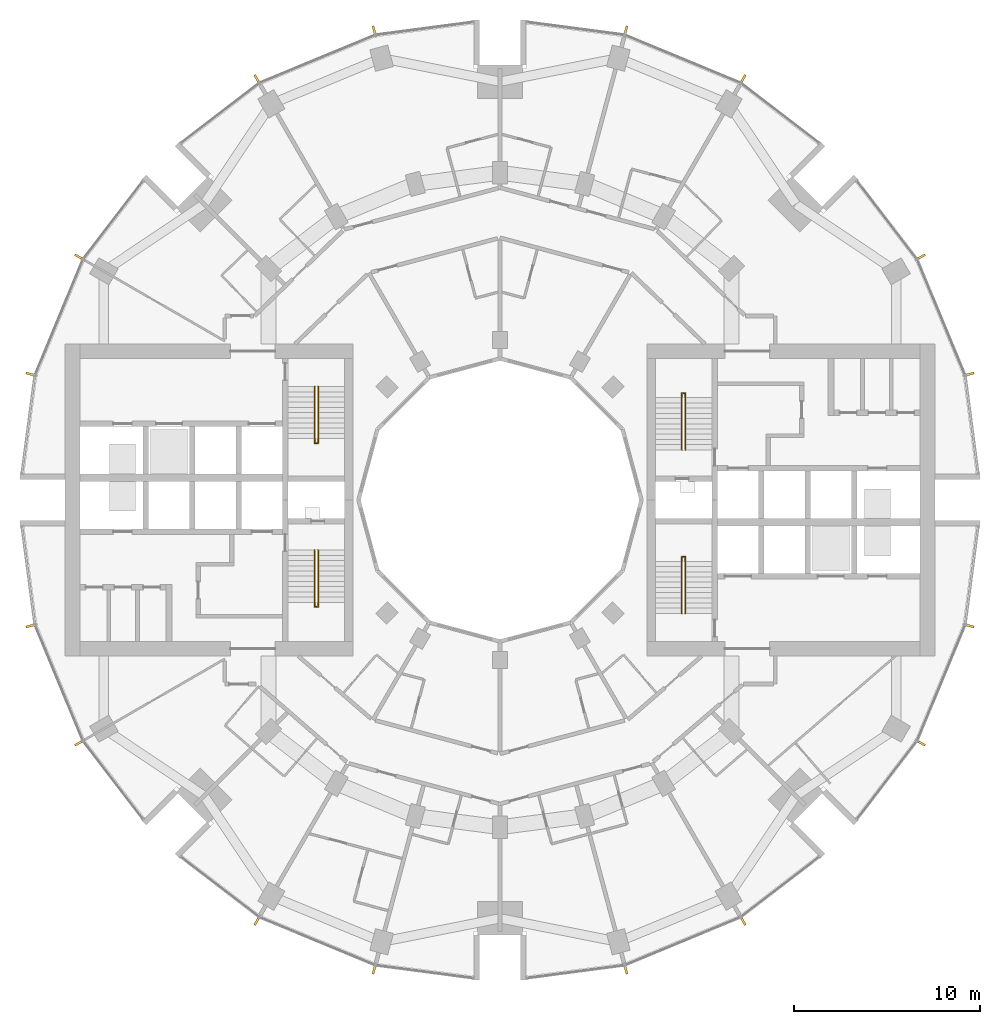
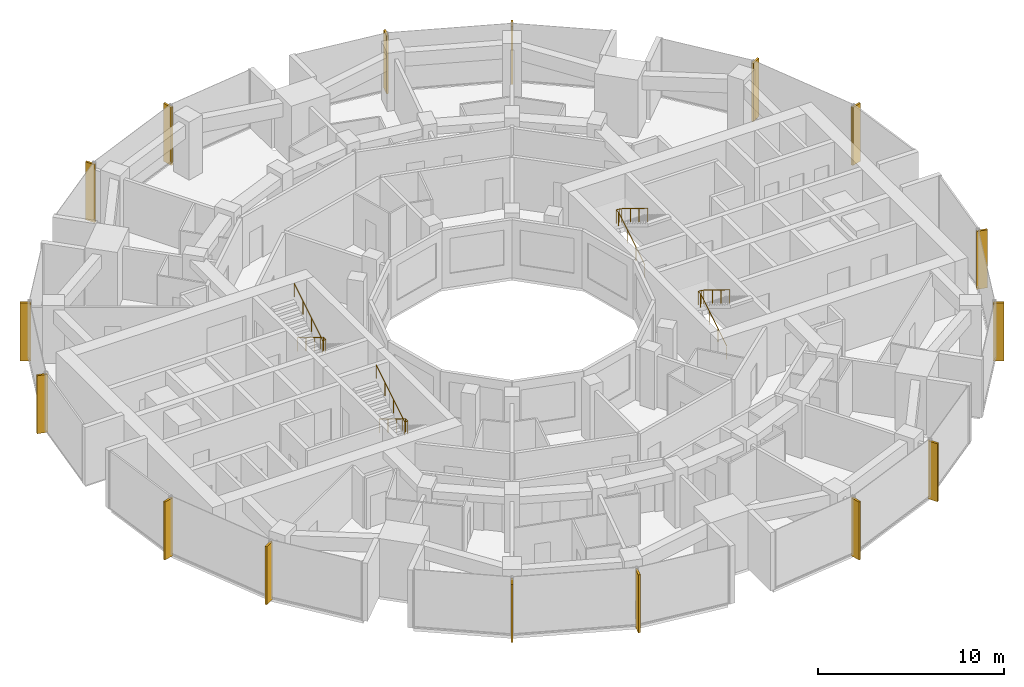
# One storey, part 14 of 15: 16 shading devices, 4 railings.
"""IFC4 building model written with IfcOpenShell, lengths in metres."""

import ifcopenshell
import ifcopenshell.guid

model = None  # the IFC model being written
_history = None  # IfcOwnerHistory: only IFC2X3 demands one
_inside = {}  # id of a spatial element -> (the spatial element, [elements in it])
_under = {}  # id of a project, library or spatial element -> (it, [spatial elements below it])
_declared = {}  # id of a project -> (the project, [libraries it declares])
_typed = {}  # id of a type object -> (the type object, [elements of that type])
_made_of = {}  # id of a material, layer set ... -> (it, [elements and type objects made of it])


def new_model(schema):
    """Start an empty IFC model of exactly this schema.

    Asked for "IFC4X3", IfcOpenShell would pick the latest addendum, in which some entities
    have other attributes; the version numbers below select the first issue.
    IFC2X3 requires an IfcOwnerHistory on every rooted entity: one is made here for all.
    """
    global model, _history
    if schema == "IFC4X3":
        model = ifcopenshell.file(schema_version=(4, 3, 0, 0))
    else:
        model = ifcopenshell.file(schema=schema)
    _inside.clear()
    _under.clear()
    _declared.clear()
    _typed.clear()
    _made_of.clear()
    _history = None
    if model.schema == "IFC2X3":
        org = make("IfcOrganization", Name="unknown")
        user = make(
            "IfcPersonAndOrganization",
            ThePerson=make("IfcPerson", FamilyName="unknown"),
            TheOrganization=org,
        )
        app = make(
            "IfcApplication",
            ApplicationDeveloper=org,
            Version="unknown",
            ApplicationFullName="unknown",
            ApplicationIdentifier="unknown",
        )
        _history = make(
            "IfcOwnerHistory",
            OwningUser=user,
            OwningApplication=app,
            ChangeAction="ADDED",
            CreationDate=0,
        )
    return model


def make(cls, **values):
    """One entity of the class cls with the attributes given. An attribute that is None is left unset."""
    return model.create_entity(
        cls, **{name: value for name, value in values.items() if value is not None}
    )


def rooted(cls, **values):
    """An entity with a GlobalId (a new one), such as an element, a storey or a relation."""
    return make(cls, GlobalId=ifcopenshell.guid.new(), OwnerHistory=_history, **values)


def si_unit(unit_type, name, prefix=None):
    """IfcSIUnit, for example si_unit("LENGTHUNIT", "METRE", prefix="MILLI")."""
    return make("IfcSIUnit", UnitType=unit_type, Prefix=prefix, Name=name)


def assignment(units):
    """IfcUnitAssignment: the units of a project."""
    return None if units is None else make("IfcUnitAssignment", Units=units)


def point(xyz):
    """IfcCartesianPoint."""
    return None if xyz is None else make("IfcCartesianPoint", Coordinates=xyz)


def direction(xyz):
    """IfcDirection."""
    return None if xyz is None else make("IfcDirection", DirectionRatios=xyz)


def frame(location, z_axis=None, x_axis=None):
    """IfcAxis2Placement3D, a coordinate frame: its origin and axes. An axis left out is left unset."""
    return make(
        "IfcAxis2Placement3D",
        Location=point(location),
        Axis=direction(z_axis),
        RefDirection=direction(x_axis),
    )


def frame_2d(location, x_axis=None):
    """IfcAxis2Placement2D, a coordinate frame in the plane: its origin and x axis."""
    return make(
        "IfcAxis2Placement2D", Location=point(location), RefDirection=direction(x_axis)
    )


def origin():
    """The frame at (0, 0, 0) with its axes left unset."""
    return frame((0.0, 0.0, 0.0))


def origin_2d():
    """The frame at (0, 0) in the plane with its x axis left unset."""
    return frame_2d((0.0, 0.0))


def place(relative_to, where):
    """IfcLocalPlacement: puts the frame where relative to a parent placement (None: the world)."""
    return make(
        "IfcLocalPlacement", PlacementRelTo=relative_to, RelativePlacement=where
    )


def context(
    kind, dimensions, precision=None, world=None, true_north=None, identifier=None
):
    """IfcGeometricRepresentationContext, for example the 3D "Model" context."""
    return make(
        "IfcGeometricRepresentationContext",
        ContextIdentifier=identifier,
        ContextType=kind,
        CoordinateSpaceDimension=dimensions,
        Precision=precision,
        WorldCoordinateSystem=world,
        TrueNorth=true_north,
    )


def subcontext(parent, identifier, kind, view, scale=None):
    """IfcGeometricRepresentationSubContext, for example "Body" below "Model"."""
    return make(
        "IfcGeometricRepresentationSubContext",
        ContextIdentifier=identifier,
        ContextType=kind,
        ParentContext=parent,
        TargetScale=scale,
        TargetView=view,
    )


def project(units=None, contexts=None):
    """IfcProject with its units and contexts."""
    return rooted(
        "IfcProject",
        Name="project",
        RepresentationContexts=contexts,
        UnitsInContext=assignment(units),
    )


def spatial(cls, under=None, at=None, **own):
    """A site, building, storey or space (cls), placed at a placement, below another one or the project."""
    s = rooted(cls, ObjectPlacement=at, **own)
    if under is not None:
        _under.setdefault(under.id(), (under, []))[1].append(s)
    return s


def profile(cls, at=None, kind="AREA", **sizes):
    """A parametric profile (cls). Its sizes go by their IFC names, for example OverallWidth=200.0."""
    return make(cls, ProfileType=kind, Position=at, **sizes)


def rectangle(**sizes):
    """IfcRectangleProfileDef."""
    return profile("IfcRectangleProfileDef", **sizes)


def circle(**sizes):
    """IfcCircleProfileDef."""
    return profile("IfcCircleProfileDef", **sizes)


def extrude(swept, where, along, depth):
    """IfcExtrudedAreaSolid: the profile swept, set in the frame where, extruded along a direction by depth."""
    return make(
        "IfcExtrudedAreaSolid",
        SweptArea=swept,
        Position=where,
        ExtrudedDirection=direction(along),
        Depth=depth,
    )


def shape(context_of_items, identifier, shape_type, items):
    """IfcShapeRepresentation: the items that make up one representation, for example the "Body"."""
    return make(
        "IfcShapeRepresentation",
        ContextOfItems=context_of_items,
        RepresentationIdentifier=identifier,
        RepresentationType=shape_type,
        Items=items,
    )


def material(Name=None, Category=None):
    """IfcMaterial."""
    return make("IfcMaterial", Name=Name, Category=Category)


def material_profile(
    of_material, cross_section, Name=None, Category=None, Priority=None
):
    """IfcMaterialProfile: a cross section and its material."""
    return make(
        "IfcMaterialProfile",
        Name=Name,
        Material=of_material,
        Profile=cross_section,
        Priority=Priority,
        Category=Category,
    )


def profile_set(profiles, Name=None, composite=None):
    """IfcMaterialProfileSet."""
    return make(
        "IfcMaterialProfileSet",
        Name=Name,
        MaterialProfiles=profiles,
        CompositeProfile=composite,
    )


def made_of(thing, what):
    """Note that an element or type object is made of a material, layer set ...; save() writes the relation."""
    if what is not None:
        _made_of.setdefault(what.id(), (what, []))[1].append(thing)
    return thing


def type_object(cls, material=None, **own):
    """A type object (cls), such as IfcWallType, which elements share."""
    return made_of(rooted(cls, **own), material)


def element(
    cls,
    number,
    at=None,
    inside=None,
    cuts=None,
    type_object=None,
    material=None,
    context=None,
    identifier="Body",
    shape_type=None,
    held_by="IfcProductDefinitionShape",
    body=None,
    shapes=None,
    **own,
):
    """One element of the class cls, such as IfcWall. Its Tag is "e" and its number.

    at: its placement. inside: the storey or other place that contains it. cuts: it is an
    opening in that element (IfcRelVoidsElement). A single representation is given by context,
    identifier, shape_type and body (its items); several are given by shapes. held_by: the class
    of the entity that holds the representations. save() writes the other relations.
    """
    e = rooted(cls, Tag="e%d" % number, ObjectPlacement=at, **own)
    if body is not None:
        shapes = [shape(context, identifier, shape_type, body)]
    if shapes is not None:
        e.Representation = make(held_by, Representations=shapes)
    if inside is not None:
        _inside.setdefault(inside.id(), (inside, []))[1].append(e)
    if cuts is not None:
        rooted(
            "IfcRelVoidsElement", RelatingBuildingElement=cuts, RelatedOpeningElement=e
        )
    if type_object is not None:
        _typed.setdefault(type_object.id(), (type_object, []))[1].append(e)
    return made_of(e, material)


def aggregate(whole, parts):
    """IfcRelAggregates: a whole, such as a stair, and the parts it consists of."""
    return rooted("IfcRelAggregates", RelatingObject=whole, RelatedObjects=parts)


def save(model, path):
    """Write the relations noted so far, then the file.

    IfcRelAggregates (storeys below a building ...), IfcRelContainedInSpatialStructure (elements
    in a storey), IfcRelDefinesByType, IfcRelAssociatesMaterial and IfcRelDeclares: one each for
    every whole, place, type object, material and project.
    """
    for whole, parts in _under.values():
        aggregate(whole, parts)
    for where, things in _inside.values():
        rooted(
            "IfcRelContainedInSpatialStructure",
            RelatedElements=things,
            RelatingStructure=where,
        )
    for kind, things in _typed.values():
        rooted("IfcRelDefinesByType", RelatedObjects=things, RelatingType=kind)
    for what, things in _made_of.values():
        rooted("IfcRelAssociatesMaterial", RelatedObjects=things, RelatingMaterial=what)
    for by, libraries in _declared.values():
        rooted("IfcRelDeclares", RelatingContext=by, RelatedDefinitions=libraries)
    model.write(path)


model = new_model("IFC4")

# Units and contexts
model_context = context("Model", 3, precision=1e-05, world=origin(), true_north=direction((0.0, 1.0)))
body_context = subcontext(model_context, "Body", "Model", "MODEL_VIEW")
ifc_project = project(units=[si_unit("LENGTHUNIT", "METRE"), si_unit("AREAUNIT", "SQUARE_METRE"), si_unit("VOLUMEUNIT", "CUBIC_METRE"), si_unit("PLANEANGLEUNIT", "RADIAN"), si_unit("MASSUNIT", "GRAM", prefix="KILO")], contexts=[model_context])

# Site, building, storey
site_placement = place(None, origin())
site = spatial("IfcSite", under=ifc_project, at=site_placement, CompositionType="ELEMENT")
building_placement = place(site_placement, origin())
building = spatial("IfcBuilding", under=site, at=building_placement, Name="Torre Brocal", CompositionType="ELEMENT")
storey_placement = place(building_placement, frame((0.0, 0.0, 55.39990234375)))
storey = spatial("IfcBuildingStorey", under=building, at=storey_placement, Name="L12", CompositionType="ELEMENT", Elevation=55.39990234375)

# Shading devices
ifc_material_1 = material(Name="Aluminium, black anodised", Category="aluminium")
ifc_material_profile = material_profile(ifc_material_1, rectangle(XDim=0.1201171875, YDim=0.60009765625, at=origin_2d()), Name="FIN 120X600 3800 HIGH")
ifc_profile_set = profile_set([ifc_material_profile], Name="Aluminium, black anodised")
shading_device_type = type_object("IfcShadingDeviceType", Name="FIN 120X600 3800 HIGH", PredefinedType="USERDEFINED", material=ifc_profile_set)
for number, where, z_axis, x_axis, name in (
    (1, (105.208984375, 81.754638671875, -0.14990234375), (0.0, 0.0, 1.0), (-0.258819045103, 0.965925826289, 0.0), "FIN"),
    (2, (102.601806640625, 88.049072265625, -0.14990234375), (0.0, 0.0, 1.0), (-0.5, 0.866025403784, 0.0), "FIN"),
    (3, (93.049072265625, 97.601806640625, -0.14990234375), (0.0, 0.0, 1.0), (-0.866025403784, 0.5, 0.0), "FIN"),
    (4, (86.754638671875, 100.208984375, -0.14990234375), (0.0, 0.0, 1.0), (-0.965925826289, 0.258819045103, 0.0), "FIN"),
    (5, (73.245361328125, 100.208984375, -0.14990234375), (0.0, 0.0, 1.0), (-0.965925826289, -0.258819045103, 0.0), "FIN"),
    (6, (66.950927734375, 97.601806640625, -0.14990234375), (0.0, 0.0, 1.0), (-0.866025403784, -0.5, 0.0), "FIN"),
    (7, (57.398193359375, 88.049072265625, -0.14990234375), (0.0, 0.0, 1.0), (-0.5, -0.866025403784, 0.0), "FIN"),
    (8, (54.791015625, 81.754638671875, -0.14990234375), (0.0, 0.0, 1.0), (-0.258819045103, -0.965925826289, 0.0), "FIN"),
    (9, (54.791015625, 68.245361328125, -0.14990234375), (0.0, 0.0, 1.0), (0.258819045103, -0.965925826289, 0.0), "FIN"),
    (10, (57.398193359375, 61.950927734375, -0.14990234375), (0.0, 0.0, 1.0), (0.5, -0.866025403784, 0.0), "FIN"),
    (11, (66.950927734375, 52.398193359375, -0.14990234375), (0.0, 0.0, 1.0), (0.866025403784, -0.5, 0.0), "FIN"),
    (12, (73.245361328125, 49.791015625, -0.14990234375), (0.0, 0.0, 1.0), (0.965925826289, -0.258819045103, 0.0), "FIN"),
    (13, (86.754638671875, 49.791015625, -0.14990234375), (0.0, 0.0, 1.0), (0.965925826289, 0.258819045103, 0.0), "FIN"),
    (14, (93.049072265625, 52.398193359375, -0.14990234375), (0.0, 0.0, 1.0), (0.866025403784, 0.5, 0.0), "FIN"),
    (15, (102.601806640625, 61.950927734375, -0.14990234375), (0.0, 0.0, 1.0), (0.5, 0.866025403784, 0.0), "FIN"),
    (16, (105.208984375, 68.245361328125, -0.14990234375), (0.0, 0.0, 1.0), (0.258819045103, 0.965925826289, 0.0), "FIN"),
):
    element("IfcShadingDevice", number, at=place(storey_placement, frame(where, z_axis=z_axis, x_axis=x_axis)), inside=storey, type_object=shading_device_type, Name=name, ObjectType="FIN", PredefinedType="USERDEFINED", context=body_context, shape_type="SweptSolid", body=[
        extrude(rectangle(XDim=0.1201171875, YDim=0.60009765625, at=origin_2d()), origin(), (0.0, 0.0, 1.0), 3.800048828125),
    ])

# Railings
ifc_material_2 = material(Name="Stainless steel AISI 316", Category="steel")
railing_type = type_object("IfcRailingType", Name="STAIR HANDRAIL", PredefinedType="HANDRAIL", material=ifc_material_2)
railing_1_placement = place(storey_placement, frame((89.780029296875, 77.699951171875, 0.1728515625)))
element("IfcRailing", 17, at=railing_1_placement, inside=storey, type_object=railing_type, Name="HANDRAIL ST1", PredefinedType="HANDRAIL", context=body_context, shape_type="SweptSolid", body=[
    extrude(circle(Radius=0.02392578125, at=origin_2d()), frame((0.0, 0.0, 0.8759765625), z_axis=(0.0, 0.851089632645, 0.525020415988), x_axis=(-1.0, 0.0, 0.0)), (0.0, 0.0, 1.0), 3.2900390625),
    extrude(circle(Radius=0.02392578125, at=origin_2d()), frame((0.0, 2.800048828125, 2.60302734375), z_axis=(0.0, 1.0, 0.0), x_axis=(-1.0, 0.0, 0.0)), (0.0, 0.0, 1.0), 0.25),
    extrude(circle(Radius=0.02392578125, at=origin_2d()), frame((0.0, 3.050048828125, 2.60302734375), z_axis=(1.0, 0.0, 0.0), x_axis=(0.0, 1.0, 0.0)), (0.0, 0.0, 1.0), 0.18994140625),
    extrude(circle(Radius=0.02392578125, at=origin_2d()), frame((0.18994140625, 3.050048828125, 2.60302734375), z_axis=(0.0, -0.822914792866, 0.568164803277), x_axis=(1.0, 0.0, 0.0)), (0.0, 0.0, 1.0), 0.3037109375),
    extrude(circle(Radius=0.02392578125, at=origin_2d()), frame((0.18994140625, 2.800048828125, 2.77587890625), z_axis=(0.0, -0.851089632645, 0.525020415988), x_axis=(1.0, 0.0, 0.0)), (0.0, 0.0, 1.0), 3.2900390625),
    extrude(circle(Radius=0.02099609375, at=origin_2d()), origin(), (0.0, 0.0, 1.0), 0.851806640625),
    extrude(circle(Radius=0.02099609375, at=origin_2d()), frame((0.0, 0.933349609375, 0.57568359375)), (0.0, 0.0, 1.0), 0.851806640625),
    extrude(circle(Radius=0.02099609375, at=origin_2d()), frame((0.0, 1.86669921875, 1.151611328125)), (0.0, 0.0, 1.0), 0.851806640625),
    extrude(circle(Radius=0.02099609375, at=origin_2d()), frame((0.0, 2.800048828125, 1.727294921875)), (0.0, 0.0, 1.0), 0.851806640625),
    extrude(circle(Radius=0.02099609375, at=origin_2d()), frame((0.0, 3.050048828125, 1.727294921875)), (0.0, 0.0, 1.0), 0.851806640625),
    extrude(circle(Radius=0.02099609375, at=origin_2d()), frame((0.18994140625, 3.050048828125, 1.727294921875)), (0.0, 0.0, 1.0), 0.851806640625),
    extrude(circle(Radius=0.02099609375, at=origin_2d()), frame((0.18994140625, 2.800048828125, 1.89990234375)), (0.0, 0.0, 1.0), 0.851806640625),
    extrude(circle(Radius=0.02099609375, at=origin_2d()), frame((0.18994140625, 1.86669921875, 2.4755859375)), (0.0, 0.0, 1.0), 0.851806640625),
    extrude(circle(Radius=0.02099609375, at=origin_2d()), frame((0.18994140625, 0.933349609375, 3.051513671875)), (0.0, 0.0, 1.0), 0.851806640625),
    extrude(circle(Radius=0.02099609375, at=origin_2d()), frame((0.18994140625, 0.0, 3.627197265625)), (0.0, 0.0, 1.0), 0.851806640625),
])
railing_2_placement = place(storey_placement, frame((89.780029296875, 68.89990234375, 0.1728515625)))
element("IfcRailing", 18, at=railing_2_placement, inside=storey, type_object=railing_type, Name="HANDRAIL ST2", PredefinedType="HANDRAIL", context=body_context, shape_type="SweptSolid", body=[
    extrude(circle(Radius=0.02392578125, at=origin_2d()), frame((0.0, 0.0, 0.8759765625), z_axis=(0.0, 0.851089632645, 0.525020415988), x_axis=(-1.0, 0.0, 0.0)), (0.0, 0.0, 1.0), 3.2900390625),
    extrude(circle(Radius=0.02392578125, at=origin_2d()), frame((0.0, 2.800048828125, 2.60302734375), z_axis=(0.0, 1.0, 0.0), x_axis=(-1.0, 0.0, 0.0)), (0.0, 0.0, 1.0), 0.25),
    extrude(circle(Radius=0.02392578125, at=origin_2d()), frame((0.0, 3.050048828125, 2.60302734375), z_axis=(1.0, 0.0, 0.0), x_axis=(0.0, 1.0, 0.0)), (0.0, 0.0, 1.0), 0.18994140625),
    extrude(circle(Radius=0.02392578125, at=origin_2d()), frame((0.18994140625, 3.050048828125, 2.60302734375), z_axis=(0.0, -0.822914792866, 0.568164803277), x_axis=(1.0, 0.0, 0.0)), (0.0, 0.0, 1.0), 0.3037109375),
    extrude(circle(Radius=0.02392578125, at=origin_2d()), frame((0.18994140625, 2.800048828125, 2.77587890625), z_axis=(0.0, -0.851089632645, 0.525020415988), x_axis=(1.0, 0.0, 0.0)), (0.0, 0.0, 1.0), 3.2900390625),
    extrude(circle(Radius=0.02099609375, at=origin_2d()), origin(), (0.0, 0.0, 1.0), 0.851806640625),
    extrude(circle(Radius=0.02099609375, at=origin_2d()), frame((0.0, 0.933349609375, 0.57568359375)), (0.0, 0.0, 1.0), 0.851806640625),
    extrude(circle(Radius=0.02099609375, at=origin_2d()), frame((0.0, 1.86669921875, 1.151611328125)), (0.0, 0.0, 1.0), 0.851806640625),
    extrude(circle(Radius=0.02099609375, at=origin_2d()), frame((0.0, 2.800048828125, 1.727294921875)), (0.0, 0.0, 1.0), 0.851806640625),
    extrude(circle(Radius=0.02099609375, at=origin_2d()), frame((0.0, 3.050048828125, 1.727294921875)), (0.0, 0.0, 1.0), 0.851806640625),
    extrude(circle(Radius=0.02099609375, at=origin_2d()), frame((0.18994140625, 3.050048828125, 1.727294921875)), (0.0, 0.0, 1.0), 0.851806640625),
    extrude(circle(Radius=0.02099609375, at=origin_2d()), frame((0.18994140625, 2.800048828125, 1.89990234375)), (0.0, 0.0, 1.0), 0.851806640625),
    extrude(circle(Radius=0.02099609375, at=origin_2d()), frame((0.18994140625, 1.86669921875, 2.4755859375)), (0.0, 0.0, 1.0), 0.851806640625),
    extrude(circle(Radius=0.02099609375, at=origin_2d()), frame((0.18994140625, 0.933349609375, 3.051513671875)), (0.0, 0.0, 1.0), 0.851806640625),
    extrude(circle(Radius=0.02099609375, at=origin_2d()), frame((0.18994140625, 0.0, 3.627197265625)), (0.0, 0.0, 1.0), 0.851806640625),
])
railing_3_placement = place(storey_placement, frame((70.219970703125, 72.300048828125, 0.1728515625)))
element("IfcRailing", 19, at=railing_3_placement, inside=storey, type_object=railing_type, Name="HANDRAIL ST3", PredefinedType="HANDRAIL", context=body_context, shape_type="SweptSolid", body=[
    extrude(circle(Radius=0.02392578125, at=origin_2d()), frame((0.0, 0.0, 0.8759765625), z_axis=(0.0, -0.851089632645, 0.525020415988), x_axis=(1.0, 0.0, 0.0)), (0.0, 0.0, 1.0), 3.2900390625),
    extrude(circle(Radius=0.02392578125, at=origin_2d()), frame((0.0, -2.800048828125, 2.60302734375), z_axis=(0.0, -1.0, 0.0), x_axis=(1.0, 0.0, 0.0)), (0.0, 0.0, 1.0), 0.25),
    extrude(circle(Radius=0.02392578125, at=origin_2d()), frame((0.0, -3.050048828125, 2.60302734375), z_axis=(-1.0, 0.0, 0.0), x_axis=(0.0, -1.0, 0.0)), (0.0, 0.0, 1.0), 0.18994140625),
    extrude(circle(Radius=0.02392578125, at=origin_2d()), frame((-0.18994140625, -3.050048828125, 2.60302734375), z_axis=(0.0, 0.822914792866, 0.568164803277), x_axis=(-1.0, 0.0, 0.0)), (0.0, 0.0, 1.0), 0.3037109375),
    extrude(circle(Radius=0.02392578125, at=origin_2d()), frame((-0.18994140625, -2.800048828125, 2.77587890625), z_axis=(0.0, 0.851089632645, 0.525020415988), x_axis=(-1.0, 0.0, 0.0)), (0.0, 0.0, 1.0), 3.2900390625),
    extrude(circle(Radius=0.02099609375, at=origin_2d()), origin(), (0.0, 0.0, 1.0), 0.851806640625),
    extrude(circle(Radius=0.02099609375, at=origin_2d()), frame((0.0, -0.933349609375, 0.57568359375)), (0.0, 0.0, 1.0), 0.851806640625),
    extrude(circle(Radius=0.02099609375, at=origin_2d()), frame((0.0, -1.86669921875, 1.151611328125)), (0.0, 0.0, 1.0), 0.851806640625),
    extrude(circle(Radius=0.02099609375, at=origin_2d()), frame((0.0, -2.800048828125, 1.727294921875)), (0.0, 0.0, 1.0), 0.851806640625),
    extrude(circle(Radius=0.02099609375, at=origin_2d()), frame((0.0, -3.050048828125, 1.727294921875)), (0.0, 0.0, 1.0), 0.851806640625),
    extrude(circle(Radius=0.02099609375, at=origin_2d()), frame((-0.18994140625, -3.050048828125, 1.727294921875)), (0.0, 0.0, 1.0), 0.851806640625),
    extrude(circle(Radius=0.02099609375, at=origin_2d()), frame((-0.18994140625, -2.800048828125, 1.89990234375)), (0.0, 0.0, 1.0), 0.851806640625),
    extrude(circle(Radius=0.02099609375, at=origin_2d()), frame((-0.18994140625, -1.86669921875, 2.4755859375)), (0.0, 0.0, 1.0), 0.851806640625),
    extrude(circle(Radius=0.02099609375, at=origin_2d()), frame((-0.18994140625, -0.933349609375, 3.051513671875)), (0.0, 0.0, 1.0), 0.851806640625),
    extrude(circle(Radius=0.02099609375, at=origin_2d()), frame((-0.18994140625, 0.0, 3.627197265625)), (0.0, 0.0, 1.0), 0.851806640625),
])
railing_4_placement = place(storey_placement, frame((70.219970703125, 81.10009765625, 0.1728515625)))
element("IfcRailing", 20, at=railing_4_placement, inside=storey, type_object=railing_type, Name="HANDRAIL ST4", PredefinedType="HANDRAIL", context=body_context, shape_type="SweptSolid", body=[
    extrude(circle(Radius=0.02392578125, at=origin_2d()), frame((0.0, 0.0, 0.8759765625), z_axis=(0.0, -0.851089632645, 0.525020415988), x_axis=(1.0, 0.0, 0.0)), (0.0, 0.0, 1.0), 3.2900390625),
    extrude(circle(Radius=0.02392578125, at=origin_2d()), frame((0.0, -2.800048828125, 2.60302734375), z_axis=(0.0, -1.0, 0.0), x_axis=(1.0, 0.0, 0.0)), (0.0, 0.0, 1.0), 0.25),
    extrude(circle(Radius=0.02392578125, at=origin_2d()), frame((0.0, -3.050048828125, 2.60302734375), z_axis=(-1.0, 0.0, 0.0), x_axis=(0.0, -1.0, 0.0)), (0.0, 0.0, 1.0), 0.18994140625),
    extrude(circle(Radius=0.02392578125, at=origin_2d()), frame((-0.18994140625, -3.050048828125, 2.60302734375), z_axis=(0.0, 0.822914792866, 0.568164803277), x_axis=(-1.0, 0.0, 0.0)), (0.0, 0.0, 1.0), 0.3037109375),
    extrude(circle(Radius=0.02392578125, at=origin_2d()), frame((-0.18994140625, -2.800048828125, 2.77587890625), z_axis=(0.0, 0.851089632645, 0.525020415988), x_axis=(-1.0, 0.0, 0.0)), (0.0, 0.0, 1.0), 3.2900390625),
    extrude(circle(Radius=0.02099609375, at=origin_2d()), origin(), (0.0, 0.0, 1.0), 0.851806640625),
    extrude(circle(Radius=0.02099609375, at=origin_2d()), frame((0.0, -0.933349609375, 0.57568359375)), (0.0, 0.0, 1.0), 0.851806640625),
    extrude(circle(Radius=0.02099609375, at=origin_2d()), frame((0.0, -1.86669921875, 1.151611328125)), (0.0, 0.0, 1.0), 0.851806640625),
    extrude(circle(Radius=0.02099609375, at=origin_2d()), frame((0.0, -2.800048828125, 1.727294921875)), (0.0, 0.0, 1.0), 0.851806640625),
    extrude(circle(Radius=0.02099609375, at=origin_2d()), frame((0.0, -3.050048828125, 1.727294921875)), (0.0, 0.0, 1.0), 0.851806640625),
    extrude(circle(Radius=0.02099609375, at=origin_2d()), frame((-0.18994140625, -3.050048828125, 1.727294921875)), (0.0, 0.0, 1.0), 0.851806640625),
    extrude(circle(Radius=0.02099609375, at=origin_2d()), frame((-0.18994140625, -2.800048828125, 1.89990234375)), (0.0, 0.0, 1.0), 0.851806640625),
    extrude(circle(Radius=0.02099609375, at=origin_2d()), frame((-0.18994140625, -1.86669921875, 2.4755859375)), (0.0, 0.0, 1.0), 0.851806640625),
    extrude(circle(Radius=0.02099609375, at=origin_2d()), frame((-0.18994140625, -0.933349609375, 3.051513671875)), (0.0, 0.0, 1.0), 0.851806640625),
    extrude(circle(Radius=0.02099609375, at=origin_2d()), frame((-0.18994140625, 0.0, 3.627197265625)), (0.0, 0.0, 1.0), 0.851806640625),
])

save(model, "model.ifc")
